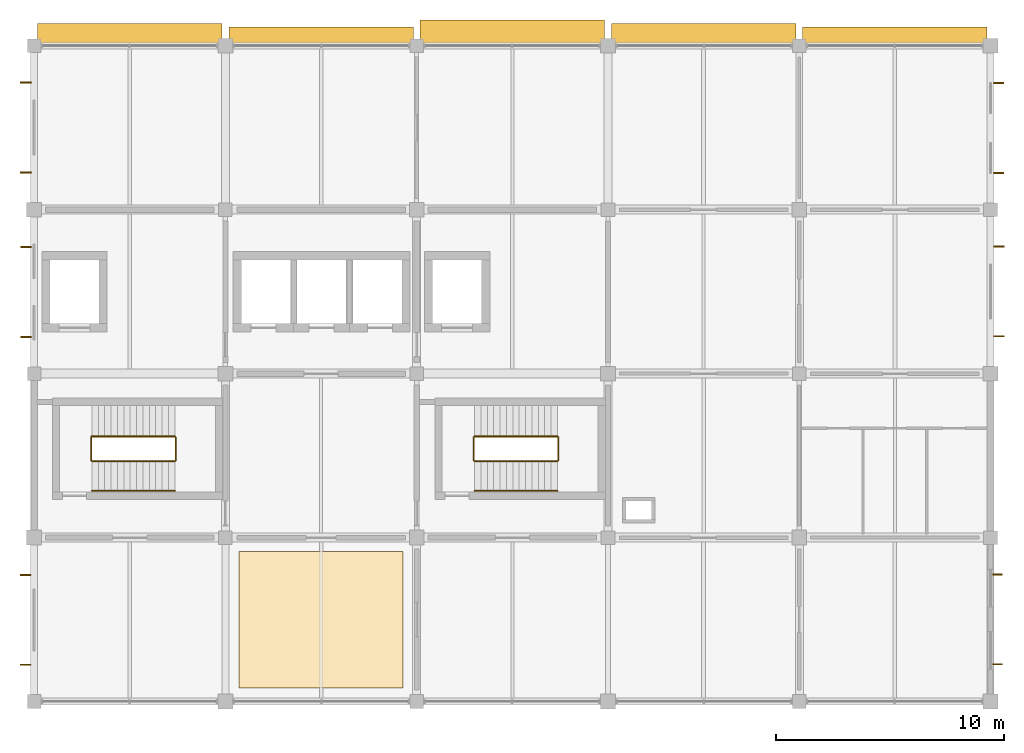
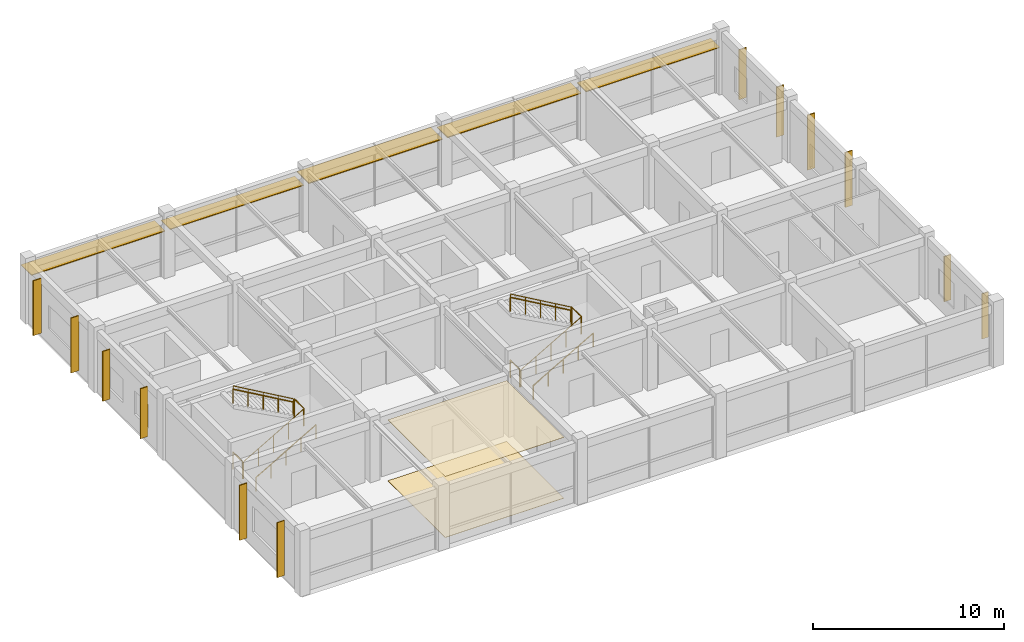
# One storey, part 11 of 11: 17 shading devices, 12 railings, 2 coverings.
"""IFC4 building model written with IfcOpenShell, lengths in metres."""

from ifc_helpers import new_model, si_unit, derived_unit, direction, frame, origin, origin_2d, place, context, subcontext, project, spatial, polyline, rectangle, circle, outline, extrude, material, layer, layer_set, type_object, element, save


model = new_model("IFC4")

# Units and contexts
model_context = context("Model", 3, precision=1e-05, world=origin(), true_north=direction((0.0, 1.0)))
body_context = subcontext(model_context, "Body", "Model", "MODEL_VIEW")
ifc_project = project(units=[si_unit("LENGTHUNIT", "METRE"), si_unit("AREAUNIT", "SQUARE_METRE"), si_unit("VOLUMEUNIT", "CUBIC_METRE"), si_unit("PLANEANGLEUNIT", "RADIAN"), si_unit("MASSUNIT", "GRAM", prefix="KILO"), derived_unit("THERMALTRANSMITTANCEUNIT", [(si_unit("MASSUNIT", "GRAM", prefix="KILO"), 1), (si_unit("TIMEUNIT", "SECOND"), -3), (si_unit("THERMODYNAMICTEMPERATUREUNIT", "KELVIN"), -1)])], contexts=[model_context])

# Site, building, storey
site_placement = place(None, origin())
site = spatial("IfcSite", under=ifc_project, at=site_placement, CompositionType="ELEMENT")
building_placement = place(site_placement, origin())
building = spatial("IfcBuilding", under=site, at=building_placement, Name="Veldstrom Oceanarium and Marine Research Institute", CompositionType="ELEMENT")
storey_placement = place(building_placement, frame((0.0, 0.0, 48.0)))
storey = spatial("IfcBuildingStorey", under=building, at=storey_placement, Name="L10", CompositionType="ELEMENT", Elevation=48.0)

# Coverings
ifc_material_1 = material(Name="Mineral-Fibre Acoustic Ceiling Tile", Category="gypsum")
ifc_layer_1 = layer(ifc_material_1, 0.02490234375)
ifc_layer_set_1 = layer_set([ifc_layer_1], Name="ARC-COV-CL1")
covering_type_1 = type_object("IfcCoveringType", Name="ARC-COV-CL1", PredefinedType="CEILING", material=ifc_layer_set_1)
covering_1_placement = place(storey_placement, frame((0.0, 0.0, 3.89501953125)))
element("IfcCovering", 1, at=covering_1_placement, inside=storey, type_object=covering_type_1, Name="Suspended Acoustic Ceiling L10", PredefinedType="CEILING", context=body_context, shape_type="SweptSolid", body=[
    extrude(outline(polyline([(84.60009765625, 43.800048828125), (91.800048828125, 43.800048828125), (91.800048828125, 49.800048828125), (84.60009765625, 49.800048828125), (84.60009765625, 43.800048828125)])), origin(), (0.0, 0.0, 1.0), 0.02490234375),
])
ifc_material_2 = material(Name="Polished Terrazzo and Marine Epoxy Flooring", Category="concrete")
ifc_layer_2 = layer(ifc_material_2, 0.02001953125)
ifc_layer_set_2 = layer_set([ifc_layer_2], Name="ARC-COV-FL1")
covering_type_2 = type_object("IfcCoveringType", Name="ARC-COV-FL1", PredefinedType="FLOORING", material=ifc_layer_set_2)
covering_2_placement = place(storey_placement, origin())
element("IfcCovering", 2, at=covering_2_placement, inside=storey, type_object=covering_type_2, Name="Terrazzo and Marine Epoxy Floor Finish L10", PredefinedType="FLOORING", context=body_context, shape_type="SweptSolid", body=[
    extrude(outline(polyline([(84.60009765625, 43.800048828125), (91.800048828125, 43.800048828125), (91.800048828125, 49.800048828125), (84.60009765625, 49.800048828125), (84.60009765625, 43.800048828125)])), origin(), (0.0, 0.0, 1.0), 0.02001953125),
])

# Railings
ifc_material_3 = material(Name="Duplex Stainless Steel Balustrade", Category="steel")
ifc_layer_3 = layer(ifc_material_3, 0.06005859375)
ifc_layer_set_3 = layer_set([ifc_layer_3], Name="ARC-RLG-GR1")
railing_type_1 = type_object("IfcRailingType", Name="ARC-RLG-GR1", PredefinedType="GUARDRAIL", material=ifc_layer_set_3)
railing_1_placement = place(storey_placement, frame((78.10009765625, 53.800048828125, 0.0)))
element("IfcRailing", 3, at=railing_1_placement, inside=storey, type_object=railing_type_1, Name="Stair Well Landing Guard ST1 L10", PredefinedType="GUARDRAIL", context=body_context, shape_type="SweptSolid", body=[
    extrude(circle(Radius=0.02392578125, at=origin_2d()), frame((0.0, 0.0, 1.09619140625), z_axis=(0.0, 1.0, 0.0), x_axis=(-1.0, 0.0, 0.0)), (0.0, 0.0, 1.0), 1.0),
    extrude(circle(Radius=0.02099609375, at=origin_2d()), origin(), (0.0, 0.0, 1.0), 1.072021484375),
    extrude(circle(Radius=0.02099609375, at=origin_2d()), frame((0.0, 1.0, 0.0)), (0.0, 0.0, 1.0), 1.072021484375),
])
railing_2_placement = place(storey_placement, frame((78.139892578125, 53.760009765625, 0.0)))
element("IfcRailing", 4, at=railing_2_placement, inside=storey, type_object=railing_type_1, Name="Stair Flight Guardrail ST1-L10-1", PredefinedType="GUARDRAIL", context=body_context, shape_type="SweptSolid", body=[
    extrude(circle(Radius=0.02392578125, at=origin_2d()), frame((0.0, 0.0, 1.09619140625), z_axis=(0.86618365172, 0.0, 0.499725806311), x_axis=(0.0, 1.0, 0.0)), (0.0, 0.0, 1.0), 4.202392578125),
    extrude(circle(Radius=0.02099609375, at=origin_2d()), origin(), (0.0, 0.0, 1.0), 1.072021484375),
    extrude(circle(Radius=0.02099609375, at=origin_2d()), frame((0.91015625, 0.0, 0.52490234375)), (0.0, 0.0, 1.0), 1.072021484375),
    extrude(circle(Radius=0.02099609375, at=origin_2d()), frame((1.820068359375, 0.0, 1.050048828125)), (0.0, 0.0, 1.0), 1.072021484375),
    extrude(circle(Radius=0.02099609375, at=origin_2d()), frame((2.72998046875, 0.0, 1.5751953125)), (0.0, 0.0, 1.0), 1.072021484375),
    extrude(circle(Radius=0.02099609375, at=origin_2d()), frame((3.64013671875, 0.0, 2.10009765625)), (0.0, 0.0, 1.0), 1.072021484375),
])
railing_3_placement = place(storey_placement, frame((81.820068359375, 53.800048828125, 2.10009765625)))
element("IfcRailing", 5, at=railing_3_placement, inside=storey, type_object=railing_type_1, Name="Stair Half-Landing Guardrail ST1-L10", PredefinedType="GUARDRAIL", context=body_context, shape_type="SweptSolid", body=[
    extrude(circle(Radius=0.02392578125, at=origin_2d()), frame((0.0, 0.0, 1.09619140625), z_axis=(0.0, 1.0, 0.0), x_axis=(-1.0, 0.0, 0.0)), (0.0, 0.0, 1.0), 1.0),
    extrude(circle(Radius=0.02099609375, at=origin_2d()), origin(), (0.0, 0.0, 1.0), 1.072021484375),
    extrude(circle(Radius=0.02099609375, at=origin_2d()), frame((0.0, 1.0, 0.0)), (0.0, 0.0, 1.0), 1.072021484375),
])
railing_4_placement = place(storey_placement, frame((81.780029296875, 54.840087890625, 2.10009765625)))
element("IfcRailing", 6, at=railing_4_placement, inside=storey, type_object=railing_type_1, Name="Stair Flight Guardrail ST1-L10-2", PredefinedType="GUARDRAIL", context=body_context, shape_type="SweptSolid", body=[
    extrude(circle(Radius=0.02392578125, at=origin_2d()), frame((0.0, 0.0, 1.09619140625), z_axis=(-0.866208797654, 0.0, 0.499682217882), x_axis=(0.0, -1.0, 0.0)), (0.0, 0.0, 1.0), 4.202392578125),
    extrude(circle(Radius=0.02099609375, at=origin_2d()), origin(), (0.0, 0.0, 1.0), 1.072021484375),
    extrude(circle(Radius=0.02099609375, at=origin_2d()), frame((-0.91015625, 0.0, 0.52490234375)), (0.0, 0.0, 1.0), 1.072021484375),
    extrude(circle(Radius=0.02099609375, at=origin_2d()), frame((-1.820068359375, 0.0, 1.0498046875)), (0.0, 0.0, 1.0), 1.072021484375),
    extrude(circle(Radius=0.02099609375, at=origin_2d()), frame((-2.72998046875, 0.0, 1.574951171875)), (0.0, 0.0, 1.0), 1.072021484375),
    extrude(circle(Radius=0.02099609375, at=origin_2d()), frame((-3.64013671875, 0.0, 2.099853515625)), (0.0, 0.0, 1.0), 1.072021484375),
])
railing_5_placement = place(storey_placement, frame((94.89990234375, 53.800048828125, 0.0)))
element("IfcRailing", 7, at=railing_5_placement, inside=storey, type_object=railing_type_1, Name="Stair Well Landing Guard ST2 L10", PredefinedType="GUARDRAIL", context=body_context, shape_type="SweptSolid", body=[
    extrude(circle(Radius=0.02392578125, at=origin_2d()), frame((0.0, 0.0, 1.09619140625), z_axis=(0.0, 1.0, 0.0), x_axis=(-1.0, 0.0, 0.0)), (0.0, 0.0, 1.0), 1.0),
    extrude(circle(Radius=0.02099609375, at=origin_2d()), origin(), (0.0, 0.0, 1.0), 1.072021484375),
    extrude(circle(Radius=0.02099609375, at=origin_2d()), frame((0.0, 1.0, 0.0)), (0.0, 0.0, 1.0), 1.072021484375),
])
railing_6_placement = place(storey_placement, frame((94.93994140625, 53.760009765625, 0.0)))
element("IfcRailing", 8, at=railing_6_placement, inside=storey, type_object=railing_type_1, Name="Stair Flight Guardrail ST2-L10-1", PredefinedType="GUARDRAIL", context=body_context, shape_type="SweptSolid", body=[
    extrude(circle(Radius=0.02392578125, at=origin_2d()), frame((0.0, 0.0, 1.09619140625), z_axis=(0.86618365172, 0.0, 0.499725806311), x_axis=(0.0, 1.0, 0.0)), (0.0, 0.0, 1.0), 4.202392578125),
    extrude(circle(Radius=0.02099609375, at=origin_2d()), origin(), (0.0, 0.0, 1.0), 1.072021484375),
    extrude(circle(Radius=0.02099609375, at=origin_2d()), frame((0.91015625, 0.0, 0.52490234375)), (0.0, 0.0, 1.0), 1.072021484375),
    extrude(circle(Radius=0.02099609375, at=origin_2d()), frame((1.820068359375, 0.0, 1.050048828125)), (0.0, 0.0, 1.0), 1.072021484375),
    extrude(circle(Radius=0.02099609375, at=origin_2d()), frame((2.72998046875, 0.0, 1.5751953125)), (0.0, 0.0, 1.0), 1.072021484375),
    extrude(circle(Radius=0.02099609375, at=origin_2d()), frame((3.64013671875, 0.0, 2.10009765625)), (0.0, 0.0, 1.0), 1.072021484375),
])
railing_7_placement = place(storey_placement, frame((98.6201171875, 53.800048828125, 2.10009765625)))
element("IfcRailing", 9, at=railing_7_placement, inside=storey, type_object=railing_type_1, Name="Stair Half-Landing Guardrail ST2-L10", PredefinedType="GUARDRAIL", context=body_context, shape_type="SweptSolid", body=[
    extrude(circle(Radius=0.02392578125, at=origin_2d()), frame((0.0, 0.0, 1.09619140625), z_axis=(0.0, 1.0, 0.0), x_axis=(-1.0, 0.0, 0.0)), (0.0, 0.0, 1.0), 1.0),
    extrude(circle(Radius=0.02099609375, at=origin_2d()), origin(), (0.0, 0.0, 1.0), 1.072021484375),
    extrude(circle(Radius=0.02099609375, at=origin_2d()), frame((0.0, 1.0, 0.0)), (0.0, 0.0, 1.0), 1.072021484375),
])
railing_8_placement = place(storey_placement, frame((98.580078125, 54.840087890625, 2.10009765625)))
element("IfcRailing", 10, at=railing_8_placement, inside=storey, type_object=railing_type_1, Name="Stair Flight Guardrail ST2-L10-2", PredefinedType="GUARDRAIL", context=body_context, shape_type="SweptSolid", body=[
    extrude(circle(Radius=0.02392578125, at=origin_2d()), frame((0.0, 0.0, 1.09619140625), z_axis=(-0.866208797654, 0.0, 0.499682217882), x_axis=(0.0, -1.0, 0.0)), (0.0, 0.0, 1.0), 4.202392578125),
    extrude(circle(Radius=0.02099609375, at=origin_2d()), origin(), (0.0, 0.0, 1.0), 1.072021484375),
    extrude(circle(Radius=0.02099609375, at=origin_2d()), frame((-0.91015625, 0.0, 0.52490234375)), (0.0, 0.0, 1.0), 1.072021484375),
    extrude(circle(Radius=0.02099609375, at=origin_2d()), frame((-1.820068359375, 0.0, 1.0498046875)), (0.0, 0.0, 1.0), 1.072021484375),
    extrude(circle(Radius=0.02099609375, at=origin_2d()), frame((-2.72998046875, 0.0, 1.574951171875)), (0.0, 0.0, 1.0), 1.072021484375),
    extrude(circle(Radius=0.02099609375, at=origin_2d()), frame((-3.64013671875, 0.0, 2.099853515625)), (0.0, 0.0, 1.0), 1.072021484375),
])
ifc_material_4 = material(Name="Brushed Stainless Steel Handrail", Category="steel")
ifc_layer_4 = layer(ifc_material_4, 0.050048828125)
ifc_layer_set_4 = layer_set([ifc_layer_4], Name="ARC-RLG-HR1")
railing_type_2 = type_object("IfcRailingType", Name="ARC-RLG-HR1", PredefinedType="HANDRAIL", material=ifc_layer_set_4)
railing_9_placement = place(storey_placement, frame((78.139892578125, 52.4599609375, 0.0)))
element("IfcRailing", 11, at=railing_9_placement, inside=storey, type_object=railing_type_2, Name="Stair Wall Handrail ST1-L10-1", PredefinedType="HANDRAIL", context=body_context, shape_type="SweptSolid", body=[
    extrude(circle(Radius=0.02392578125, at=origin_2d()), frame((0.0, 0.0, 0.8759765625), z_axis=(0.86618365172, 0.0, 0.499725806311), x_axis=(0.0, 1.0, 0.0)), (0.0, 0.0, 1.0), 4.202392578125),
    extrude(circle(Radius=0.02099609375, at=origin_2d()), origin(), (0.0, 0.0, 1.0), 0.851806640625),
    extrude(circle(Radius=0.02099609375, at=origin_2d()), frame((0.91015625, 0.0, 0.52490234375)), (0.0, 0.0, 1.0), 0.851806640625),
    extrude(circle(Radius=0.02099609375, at=origin_2d()), frame((1.820068359375, 0.0, 1.050048828125)), (0.0, 0.0, 1.0), 0.851806640625),
    extrude(circle(Radius=0.02099609375, at=origin_2d()), frame((2.72998046875, 0.0, 1.5751953125)), (0.0, 0.0, 1.0), 0.851806640625),
    extrude(circle(Radius=0.02099609375, at=origin_2d()), frame((3.64013671875, 0.0, 2.10009765625)), (0.0, 0.0, 1.0), 0.851806640625),
])
railing_10_placement = place(storey_placement, frame((81.780029296875, 54.860107421875, 2.10009765625)))
element("IfcRailing", 12, at=railing_10_placement, inside=storey, type_object=railing_type_2, Name="Stair Wall Handrail ST1-L10-2", PredefinedType="HANDRAIL", context=body_context, shape_type="SweptSolid", body=[
    extrude(circle(Radius=0.02392578125, at=origin_2d()), frame((0.0, 0.0, 0.8759765625), z_axis=(-0.866208797654, 0.0, 0.499682217882), x_axis=(0.0, -1.0, 0.0)), (0.0, 0.0, 1.0), 4.202392578125),
    extrude(circle(Radius=0.02099609375, at=origin_2d()), origin(), (0.0, 0.0, 1.0), 0.851806640625),
    extrude(circle(Radius=0.02099609375, at=origin_2d()), frame((-0.91015625, 0.0, 0.52490234375)), (0.0, 0.0, 1.0), 0.851806640625),
    extrude(circle(Radius=0.02099609375, at=origin_2d()), frame((-1.820068359375, 0.0, 1.0498046875)), (0.0, 0.0, 1.0), 0.851806640625),
    extrude(circle(Radius=0.02099609375, at=origin_2d()), frame((-2.72998046875, 0.0, 1.574951171875)), (0.0, 0.0, 1.0), 0.851806640625),
    extrude(circle(Radius=0.02099609375, at=origin_2d()), frame((-3.64013671875, 0.0, 2.099853515625)), (0.0, 0.0, 1.0), 0.851806640625),
])
railing_11_placement = place(storey_placement, frame((94.93994140625, 52.4599609375, 0.0)))
element("IfcRailing", 13, at=railing_11_placement, inside=storey, type_object=railing_type_2, Name="Stair Wall Handrail ST2-L10-1", PredefinedType="HANDRAIL", context=body_context, shape_type="SweptSolid", body=[
    extrude(circle(Radius=0.02392578125, at=origin_2d()), frame((0.0, 0.0, 0.8759765625), z_axis=(0.86618365172, 0.0, 0.499725806311), x_axis=(0.0, 1.0, 0.0)), (0.0, 0.0, 1.0), 4.202392578125),
    extrude(circle(Radius=0.02099609375, at=origin_2d()), origin(), (0.0, 0.0, 1.0), 0.851806640625),
    extrude(circle(Radius=0.02099609375, at=origin_2d()), frame((0.91015625, 0.0, 0.52490234375)), (0.0, 0.0, 1.0), 0.851806640625),
    extrude(circle(Radius=0.02099609375, at=origin_2d()), frame((1.820068359375, 0.0, 1.050048828125)), (0.0, 0.0, 1.0), 0.851806640625),
    extrude(circle(Radius=0.02099609375, at=origin_2d()), frame((2.72998046875, 0.0, 1.5751953125)), (0.0, 0.0, 1.0), 0.851806640625),
    extrude(circle(Radius=0.02099609375, at=origin_2d()), frame((3.64013671875, 0.0, 2.10009765625)), (0.0, 0.0, 1.0), 0.851806640625),
])
railing_12_placement = place(storey_placement, frame((98.580078125, 54.860107421875, 2.10009765625)))
element("IfcRailing", 14, at=railing_12_placement, inside=storey, type_object=railing_type_2, Name="Stair Wall Handrail ST2-L10-2", PredefinedType="HANDRAIL", context=body_context, shape_type="SweptSolid", body=[
    extrude(circle(Radius=0.02392578125, at=origin_2d()), frame((0.0, 0.0, 0.8759765625), z_axis=(-0.866208797654, 0.0, 0.499682217882), x_axis=(0.0, -1.0, 0.0)), (0.0, 0.0, 1.0), 4.202392578125),
    extrude(circle(Radius=0.02099609375, at=origin_2d()), origin(), (0.0, 0.0, 1.0), 0.851806640625),
    extrude(circle(Radius=0.02099609375, at=origin_2d()), frame((-0.91015625, 0.0, 0.52490234375)), (0.0, 0.0, 1.0), 0.851806640625),
    extrude(circle(Radius=0.02099609375, at=origin_2d()), frame((-1.820068359375, 0.0, 1.0498046875)), (0.0, 0.0, 1.0), 0.851806640625),
    extrude(circle(Radius=0.02099609375, at=origin_2d()), frame((-2.72998046875, 0.0, 1.574951171875)), (0.0, 0.0, 1.0), 0.851806640625),
    extrude(circle(Radius=0.02099609375, at=origin_2d()), frame((-3.64013671875, 0.0, 2.099853515625)), (0.0, 0.0, 1.0), 0.851806640625),
])

# Shading devices
ifc_material_5 = material(Name="Precast Terracotta Brise-Soleil Louvre", Category="masonry")
ifc_layer_5 = layer(ifc_material_5, 3.60009765625)
ifc_layer_set_5 = layer_set([ifc_layer_5], Name="ARC-SHD-BS01")
shading_device_type_1 = type_object("IfcShadingDeviceType", Name="ARC-SHD-BS01", PredefinedType="JALOUSIE", material=ifc_layer_set_5)
for number, where, z_axis, x_axis, name in (
    (15, (75.22509765625, 44.81494140625, 0.199951171875), (0.0, 0.0, 1.0), (1.0, 0.0, 0.0), "Terracotta Brise-Soleil Louvre L10-140"),
    (16, (75.22509765625, 48.760009765625, 0.199951171875), (0.0, 0.0, 1.0), (1.0, 0.0, 0.0), "Terracotta Brise-Soleil Louvre L10-140"),
    (17, (117.965087890625, 59.239990234375, 0.199951171875), (0.0, 0.0, 1.0), (1.0, 0.0, 0.0), "Terracotta Brise-Soleil Louvre L10-144"),
    (18, (117.965087890625, 63.18505859375, 0.199951171875), (0.0, 0.0, 1.0), (1.0, 0.0, 0.0), "Terracotta Brise-Soleil Louvre L10-144"),
):
    element("IfcShadingDevice", number, at=place(storey_placement, frame(where, z_axis=z_axis, x_axis=x_axis)), inside=storey, type_object=shading_device_type_1, Name=name, PredefinedType="JALOUSIE", context=body_context, shape_type="SweptSolid", body=[
        extrude(rectangle(XDim=0.449951171875, YDim=0.06005859375, at=origin_2d()), origin(), (0.0, 0.0, 1.0), 3.52001953125),
    ])
ifc_material_6 = material(Name="Precast Terracotta Brise-Soleil Louvre", Category="masonry")
ifc_layer_6 = layer(ifc_material_6, 3.199951171875)
ifc_layer_set_6 = layer_set([ifc_layer_6], Name="ARC-SHD-BS02")
shading_device_type_2 = type_object("IfcShadingDeviceType", Name="ARC-SHD-BS02", PredefinedType="JALOUSIE", material=ifc_layer_set_6)
for number, where, z_axis, x_axis, name in (
    (19, (75.2451171875, 59.215087890625, 0.35986328125), (0.0, 0.0, 1.0), (1.0, 0.0, 0.0), "Terracotta Brise-Soleil Louvre L10-141"),
    (20, (75.2451171875, 63.159912109375, 0.35986328125), (0.0, 0.0, 1.0), (1.0, 0.0, 0.0), "Terracotta Brise-Soleil Louvre L10-141"),
    (21, (117.955078125, 66.4150390625, 0.35986328125), (0.0, 0.0, 1.0), (1.0, 0.0, 0.0), "Terracotta Brise-Soleil Louvre L10-145"),
    (22, (117.955078125, 70.360107421875, 0.35986328125), (0.0, 0.0, 1.0), (1.0, 0.0, 0.0), "Terracotta Brise-Soleil Louvre L10-145"),
):
    element("IfcShadingDevice", number, at=place(storey_placement, frame(where, z_axis=z_axis, x_axis=x_axis)), inside=storey, type_object=shading_device_type_2, Name=name, PredefinedType="JALOUSIE", context=body_context, shape_type="SweptSolid", body=[
        extrude(rectangle(XDim=0.449951171875, YDim=0.06005859375, at=origin_2d()), origin(), (0.0, 0.0, 1.0), 3.199951171875),
    ])
ifc_material_7 = material(Name="Precast Terracotta Brise-Soleil Louvre", Category="masonry")
ifc_layer_7 = layer(ifc_material_7, 4.199951171875)
ifc_layer_set_7 = layer_set([ifc_layer_7], Name="ARC-SHD-BS03")
shading_device_type_3 = type_object("IfcShadingDeviceType", Name="ARC-SHD-BS03", PredefinedType="JALOUSIE", material=ifc_layer_set_7)
for number, where, z_axis, x_axis, name in (
    (23, (75.22998046875, 66.43994140625, 0.199951171875), (0.0, 0.0, 1.0), (1.0, 0.0, 0.0), "Terracotta Brise-Soleil Louvre L10-142"),
    (24, (75.22998046875, 70.385009765625, 0.199951171875), (0.0, 0.0, 1.0), (1.0, 0.0, 0.0), "Terracotta Brise-Soleil Louvre L10-142"),
):
    element("IfcShadingDevice", number, at=place(storey_placement, frame(where, z_axis=z_axis, x_axis=x_axis)), inside=storey, type_object=shading_device_type_3, Name=name, PredefinedType="JALOUSIE", context=body_context, shape_type="SweptSolid", body=[
        extrude(rectangle(XDim=0.5, YDim=0.06494140625, at=origin_2d()), origin(), (0.0, 0.0, 1.0), 3.52001953125),
    ])
ifc_material_8 = material(Name="Precast Terracotta Brise-Soleil Louvre", Category="masonry")
ifc_layer_8 = layer(ifc_material_8, 2.89990234375)
ifc_layer_set_8 = layer_set([ifc_layer_8], Name="ARC-SHD-BS04")
shading_device_type_4 = type_object("IfcShadingDeviceType", Name="ARC-SHD-BS04", PredefinedType="JALOUSIE", material=ifc_layer_set_8)
for number, where, z_axis, x_axis, name in (
    (25, (117.902587890625, 44.840087890625, 0.510009765625), (0.0, 0.0, 1.0), (1.0, 0.0, 0.0), "Terracotta Brise-Soleil Louvre L10-143"),
    (26, (117.902587890625, 48.784912109375, 0.510009765625), (0.0, 0.0, 1.0), (1.0, 0.0, 0.0), "Terracotta Brise-Soleil Louvre L10-143"),
):
    element("IfcShadingDevice", number, at=place(storey_placement, frame(where, z_axis=z_axis, x_axis=x_axis)), inside=storey, type_object=shading_device_type_4, Name=name, PredefinedType="JALOUSIE", context=body_context, shape_type="SweptSolid", body=[
        extrude(rectangle(XDim=0.39990234375, YDim=0.054931640625, at=origin_2d()), origin(), (0.0, 0.0, 1.0), 2.89990234375),
    ])
ifc_material_9 = material(Name="Perforated Anodised Aluminium Louvre", Category="aluminium")
ifc_layer_9 = layer(ifc_material_9, 0.054931640625)
ifc_layer_set_9 = layer_set([ifc_layer_9], Name="ARC-SHD-SH01")
shading_device_type_5 = type_object("IfcShadingDeviceType", Name="ARC-SHD-SH01", PredefinedType="AWNING", material=ifc_layer_set_9)
shading_device_placement = place(storey_placement, frame((96.60009765625, 72.5048828125, 2.85009765625), z_axis=(0.0, 0.0, 1.0), x_axis=(1.0, 0.0, 0.0)))
element("IfcShadingDevice", 27, at=shading_device_placement, inside=storey, type_object=shading_device_type_5, Name="North Solar Canopy Louvre L10-12", PredefinedType="AWNING", context=body_context, shape_type="SweptSolid", body=[
    extrude(rectangle(XDim=8.10009765625, YDim=1.25, at=origin_2d()), origin(), (0.0, 0.0, 1.0), 0.054931640625),
])
ifc_material_10 = material(Name="Perforated Anodised Aluminium Louvre", Category="aluminium")
ifc_layer_10 = layer(ifc_material_10, 0.050048828125)
ifc_layer_set_10 = layer_set([ifc_layer_10], Name="ARC-SHD-SH02")
shading_device_type_6 = type_object("IfcShadingDeviceType", Name="ARC-SHD-SH02", PredefinedType="AWNING", material=ifc_layer_set_10)
for number, where, z_axis, x_axis, name in (
    (28, (79.800048828125, 72.429931640625, 2.85009765625), (0.0, 0.0, 1.0), (1.0, 0.0, 0.0), "North Solar Canopy Louvre L10-10"),
    (29, (105.0, 72.429931640625, 2.85009765625), (0.0, 0.0, 1.0), (1.0, 0.0, 0.0), "North Solar Canopy Louvre L10-13"),
):
    element("IfcShadingDevice", number, at=place(storey_placement, frame(where, z_axis=z_axis, x_axis=x_axis)), inside=storey, type_object=shading_device_type_6, Name=name, PredefinedType="AWNING", context=body_context, shape_type="SweptSolid", body=[
        extrude(rectangle(XDim=8.10009765625, YDim=1.10009765625, at=origin_2d()), origin(), (0.0, 0.0, 1.0), 0.050048828125),
    ])
ifc_material_11 = material(Name="Perforated Anodised Aluminium Louvre", Category="aluminium")
ifc_layer_11 = layer(ifc_material_11, 0.044921875)
ifc_layer_set_11 = layer_set([ifc_layer_11], Name="ARC-SHD-SH03")
shading_device_type_7 = type_object("IfcShadingDeviceType", Name="ARC-SHD-SH03", PredefinedType="AWNING", material=ifc_layer_set_11)
for number, where, z_axis, x_axis, name in (
    (30, (88.199951171875, 72.35498046875, 2.85009765625), (0.0, 0.0, 1.0), (1.0, 0.0, 0.0), "North Solar Canopy Louvre L10-11"),
    (31, (113.39990234375, 72.35498046875, 2.85009765625), (0.0, 0.0, 1.0), (1.0, 0.0, 0.0), "North Solar Canopy Louvre L10-14"),
):
    element("IfcShadingDevice", number, at=place(storey_placement, frame(where, z_axis=z_axis, x_axis=x_axis)), inside=storey, type_object=shading_device_type_7, Name=name, PredefinedType="AWNING", context=body_context, shape_type="SweptSolid", body=[
        extrude(rectangle(XDim=8.10009765625, YDim=0.949951171875, at=origin_2d()), origin(), (0.0, 0.0, 1.0), 0.044921875),
    ])

save(model, "model.ifc")
